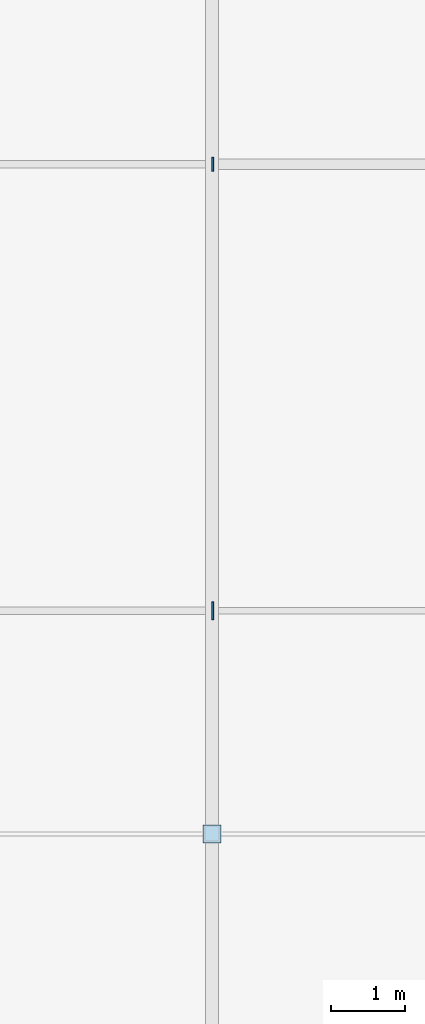
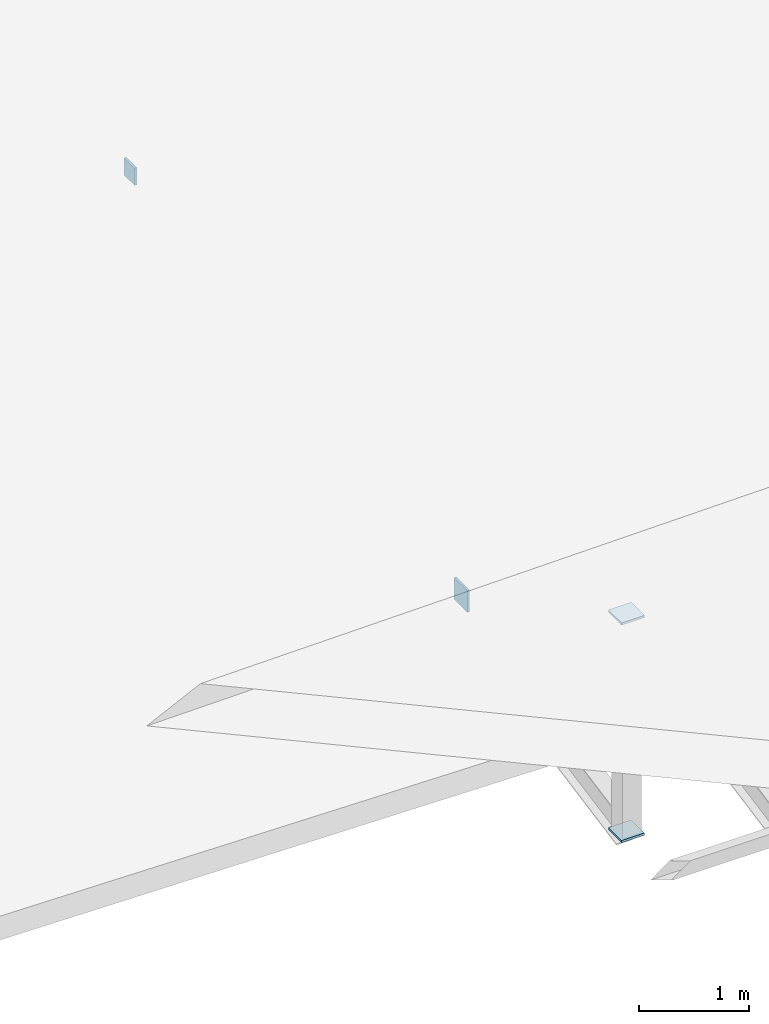
# One storey, part 159 of 226: 4 plates.
"""IFC4 building model written with IfcOpenShell, lengths in metres."""

from ifc_helpers import new_model, si_unit, direction, frame, origin, origin_2d, place, context, subcontext, project, spatial, rectangle, extrude, material, layer, layer_set, type_object, element, save


model = new_model("IFC4")

# Units and contexts
model_context = context("Model", 3, precision=1e-05, world=origin(), true_north=direction((0.0, 1.0)))
body_context = subcontext(model_context, "Body", "Model", "MODEL_VIEW")
ifc_project = project(units=[si_unit("LENGTHUNIT", "METRE"), si_unit("AREAUNIT", "SQUARE_METRE"), si_unit("VOLUMEUNIT", "CUBIC_METRE"), si_unit("PLANEANGLEUNIT", "RADIAN"), si_unit("MASSUNIT", "GRAM", prefix="KILO")], contexts=[model_context])

# Site, building, storey
site_placement = place(None, origin())
site = spatial("IfcSite", under=ifc_project, at=site_placement, CompositionType="ELEMENT")
building_placement = place(site_placement, origin())
building = spatial("IfcBuilding", under=site, at=building_placement, Name="Tarnwether General Hospital", CompositionType="ELEMENT")
storey_placement = place(building_placement, frame((0.0, 0.0, 4.800048828125)))
storey = spatial("IfcBuildingStorey", under=building, at=storey_placement, Name="L01", CompositionType="ELEMENT", Elevation=4.800048828125)

# Plates
ifc_material = material(Name="Steel Grade 350 (350 MPa)", Category="steel")
ifc_layer = layer(ifc_material, 0.02490234375)
ifc_layer_set = layer_set([ifc_layer], Name="Steel Grade 350 (350 MPa)")
plate_type = type_object("IfcPlateType", Name="PT-GUS2", PredefinedType="USERDEFINED", material=ifc_layer_set)
for number, where, z_axis, x_axis, name in (
    (1, (24.0, 33.60009765625, -0.405029296875), (0.0, 0.0, 1.0), (1.0, 0.0, 0.0), "Hollow Section Welded End Cap Plate 1425"),
    (2, (24.0, 33.60009765625, 2.0), (0.0, 0.0, 1.0), (1.0, 0.0, 0.0), "Hollow Section Welded End Cap Plate 1426"),
):
    element("IfcPlate", number, at=place(storey_placement, frame(where, z_axis=z_axis, x_axis=x_axis)), inside=storey, type_object=plate_type, Name=name, ObjectType="GUSSET", PredefinedType="USERDEFINED", context=body_context, shape_type="SweptSolid", body=[
        extrude(rectangle(XDim=0.239990234375, YDim=0.239990234375, at=origin_2d()), origin(), (0.0, 0.0, 1.0), 0.02490234375),
    ])
plate_1_placement = place(storey_placement, frame((24.012451171875, 36.60009765625, 0.27978515625), z_axis=(0.0, 0.0, 1.0), x_axis=(1.0, 0.0, 0.0)))
element("IfcPlate", 3, at=plate_1_placement, inside=storey, type_object=plate_type, Name="Hollow Section Welded End Cap Plate 1436", ObjectType="GUSSET", PredefinedType="USERDEFINED", context=body_context, shape_type="SweptSolid", body=[
    extrude(rectangle(XDim=0.02490234375, YDim=0.239990234375, at=origin_2d()), origin(), (0.0, 0.0, 1.0), 0.239990234375),
])
plate_2_placement = place(storey_placement, frame((24.012451171875, 42.60009765625, 1.344970703125), z_axis=(0.0, 0.0, 1.0), x_axis=(1.0, 0.0, 0.0)))
element("IfcPlate", 4, at=plate_2_placement, inside=storey, type_object=plate_type, Name="Hollow Section Welded End Cap Plate 1438", ObjectType="GUSSET", PredefinedType="USERDEFINED", context=body_context, shape_type="SweptSolid", body=[
    extrude(rectangle(XDim=0.02490234375, YDim=0.18994140625, at=origin_2d()), origin(), (0.0, 0.0, 1.0), 0.18994140625),
])

save(model, "model.ifc")
